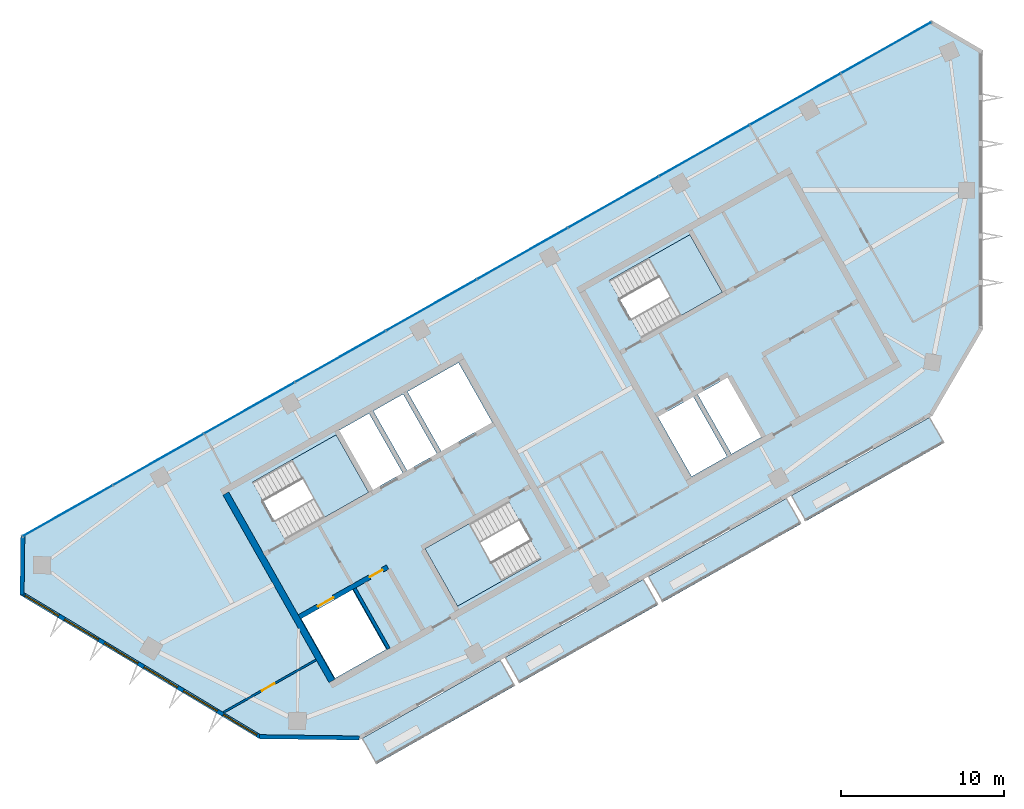
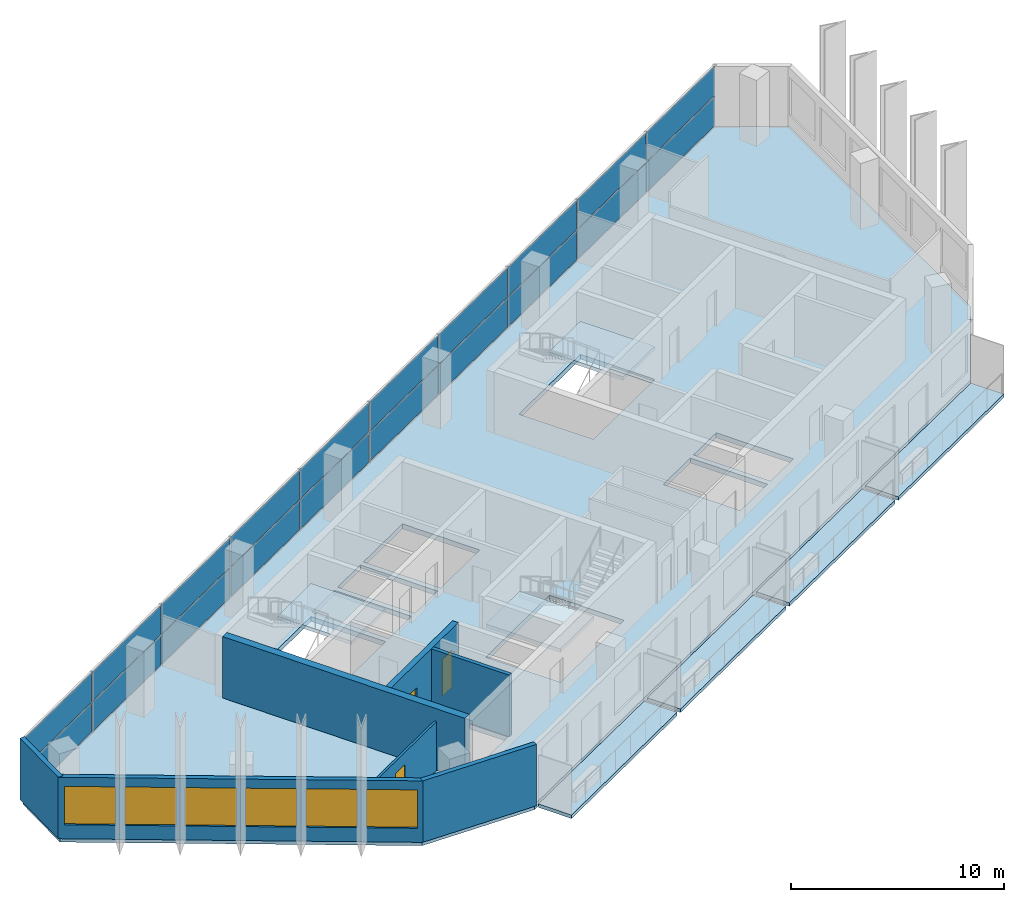
# One storey, part 5 of 10: 20 plates, 8 slabs, 7 walls, 6 windows, 3 doors, 9 openings, 4 elements without a shape of their own.
"""IFC4 building model written with IfcOpenShell, lengths in metres."""

from ifc_helpers import new_model, si_unit, direction, frame, frame_2d, origin, origin_2d, place, context, subcontext, project, spatial, polyline, rectangle, outline, extrude, material, layer, layer_set, type_object, element, fill, aggregate, save


model = new_model("IFC4")

# Units and contexts
model_context = context("Model", 3, precision=1e-05, world=origin(), true_north=direction((0.0, 1.0)))
body_context = subcontext(model_context, "Body", "Model", "MODEL_VIEW")
ifc_project = project(units=[si_unit("LENGTHUNIT", "METRE"), si_unit("AREAUNIT", "SQUARE_METRE"), si_unit("VOLUMEUNIT", "CUBIC_METRE"), si_unit("PLANEANGLEUNIT", "RADIAN"), si_unit("MASSUNIT", "GRAM", prefix="KILO")], contexts=[model_context])

# Site, building, storey
site_placement = place(None, origin())
site = spatial("IfcSite", under=ifc_project, at=site_placement, CompositionType="ELEMENT")
building_placement = place(site_placement, origin())
building = spatial("IfcBuilding", under=site, at=building_placement, Name="Binnacle Exchange Tower", CompositionType="ELEMENT")
storey_placement = place(building_placement, frame((0.0, 0.0, 324.10009765625)))
storey = spatial("IfcBuildingStorey", under=building, at=storey_placement, Name="L73", CompositionType="ELEMENT", Elevation=324.10009765625)

# Slabs
ifc_material_1 = material(Name="Concrete C35/45", Category="concrete")
ifc_layer_1 = layer(ifc_material_1, 0.199951171875)
ifc_layer_set_1 = layer_set([ifc_layer_1], Name="BALCONY SLAB 200")
slab_type_1 = type_object("IfcSlabType", Name="BALCONY SLAB 200", PredefinedType="FLOOR", material=ifc_layer_set_1)
slab_1_placement = place(storey_placement, frame((0.0, 0.0, -0.2001953125)))
element("IfcSlab", 1, at=slab_1_placement, inside=storey, type_object=slab_type_1, Name="Balcony BA-H07-00 L73", PredefinedType="FLOOR", context=body_context, shape_type="SweptSolid", body=[
    extrude(outline(polyline([(-37.90576171875, 26.410400390625), (-29.40380859375, 31.220458984375), (-28.517578125, 29.65380859375), (-37.019287109375, 24.84375), (-37.90576171875, 26.410400390625)])), origin(), (0.0, 0.0, 1.0), 0.2001953125),
])
slab_2_placement = place(storey_placement, frame((0.0, 0.0, -0.2001953125)))
element("IfcSlab", 2, at=slab_2_placement, inside=storey, type_object=slab_type_1, Name="Balcony BA-H07-01 L73", PredefinedType="FLOOR", context=body_context, shape_type="SweptSolid", body=[
    extrude(outline(polyline([(-29.142822265625, 31.3681640625), (-20.64111328125, 36.17822265625), (-19.754638671875, 34.611572265625), (-28.25634765625, 29.801513671875), (-29.142822265625, 31.3681640625)])), origin(), (0.0, 0.0, 1.0), 0.2001953125),
])
slab_3_placement = place(storey_placement, frame((0.0, 0.0, -0.2001953125)))
element("IfcSlab", 3, at=slab_3_placement, inside=storey, type_object=slab_type_1, Name="Balcony BA-H07-02 L73", PredefinedType="FLOOR", context=body_context, shape_type="SweptSolid", body=[
    extrude(outline(polyline([(-20.3798828125, 36.325927734375), (-11.878173828125, 41.135986328125), (-10.99169921875, 39.5693359375), (-19.493408203125, 34.759521484375), (-20.3798828125, 36.325927734375)])), origin(), (0.0, 0.0, 1.0), 0.2001953125),
])
slab_4_placement = place(storey_placement, frame((0.0, 0.0, -0.2001953125)))
element("IfcSlab", 4, at=slab_4_placement, inside=storey, type_object=slab_type_1, Name="Balcony BA-H07-03 L73", PredefinedType="FLOOR", context=body_context, shape_type="SweptSolid", body=[
    extrude(outline(polyline([(-11.616943359375, 41.28369140625), (-3.115234375, 46.093994140625), (-2.22900390625, 44.527099609375), (-10.730712890625, 39.717041015625), (-11.616943359375, 41.28369140625)])), origin(), (0.0, 0.0, 1.0), 0.2001953125),
])

# Curtain wall, plates
ifc_material_2 = material(Name="Bronze anodised aluminium frame", Category="aluminium")
curtain_wall_type = type_object("IfcCurtainWallType", Name="External wall - curtain wall executive floors", PredefinedType="NOTDEFINED", material=ifc_material_2)
curtain_wall_placement = place(storey_placement, origin())
curtain_wall = element("IfcCurtainWall", 5, at=curtain_wall_placement, inside=storey, type_object=curtain_wall_type, Name="External wall curtain wall CW4-H03 L73", PredefinedType="NOTDEFINED")
ifc_material_3 = material(Name="Glass", Category="glass")
ifc_layer_2 = layer(ifc_material_3, 0.031982421875)
ifc_layer_set_2 = layer_set([ifc_layer_2], Name="CW4 GLASS PANEL 32")
plate_type = type_object("IfcPlateType", Name="CW4 GLASS PANEL 32", PredefinedType="CURTAIN_PANEL", material=ifc_layer_set_2)
plate_1_placement = place(storey_placement, frame((-5.786376953125, 68.72607421875, 0.0498046875), z_axis=(0.0, 0.0, 1.0), x_axis=(-0.870355581136, -0.492423763019, 0.0)))
plate_1 = element("IfcPlate", 6, at=plate_1_placement, type_object=plate_type, Name="CW4-H03 panel 1.1", PredefinedType="CURTAIN_PANEL", context=body_context, shape_type="SweptSolid", body=[
    extrude(rectangle(XDim=6.30029296875, YDim=0.031982421875, at=origin_2d()), origin(), (0.0, 0.0, 1.0), 1.68505859375),
])
plate_2_placement = place(storey_placement, frame((-5.786376953125, 68.72607421875, 1.784912109375), z_axis=(0.0, 0.0, 1.0), x_axis=(-0.870355581136, -0.492423763019, 0.0)))
plate_2 = element("IfcPlate", 7, at=plate_2_placement, type_object=plate_type, Name="CW4-H03 panel 1.2", PredefinedType="CURTAIN_PANEL", context=body_context, shape_type="SweptSolid", body=[
    extrude(rectangle(XDim=6.30029296875, YDim=0.031982421875, at=origin_2d()), origin(), (0.0, 0.0, 1.0), 1.68505859375),
])
plate_3_placement = place(storey_placement, frame((-11.345947265625, 65.580810546875, 0.0498046875), z_axis=(0.0, 0.0, 1.0), x_axis=(-0.870355581136, -0.492423763019, 0.0)))
plate_3 = element("IfcPlate", 8, at=plate_3_placement, type_object=plate_type, Name="CW4-H03 panel 2.1", PredefinedType="CURTAIN_PANEL", context=body_context, shape_type="SweptSolid", body=[
    extrude(rectangle(XDim=6.335205078125, YDim=0.031982421875, at=origin_2d()), origin(), (0.0, 0.0, 1.0), 1.68505859375),
])
plate_4_placement = place(storey_placement, frame((-11.345947265625, 65.580810546875, 1.784912109375), z_axis=(0.0, 0.0, 1.0), x_axis=(-0.870355581136, -0.492423763019, 0.0)))
plate_4 = element("IfcPlate", 9, at=plate_4_placement, type_object=plate_type, Name="CW4-H03 panel 2.2", PredefinedType="CURTAIN_PANEL", context=body_context, shape_type="SweptSolid", body=[
    extrude(rectangle(XDim=6.335205078125, YDim=0.031982421875, at=origin_2d()), origin(), (0.0, 0.0, 1.0), 1.68505859375),
])
plate_5_placement = place(storey_placement, frame((-16.9208984375, 62.426513671875, 0.0498046875), z_axis=(0.0, 0.0, 1.0), x_axis=(-0.870355581136, -0.492423763019, 0.0)))
plate_5 = element("IfcPlate", 10, at=plate_5_placement, type_object=plate_type, Name="CW4-H03 panel 3.1", PredefinedType="CURTAIN_PANEL", context=body_context, shape_type="SweptSolid", body=[
    extrude(rectangle(XDim=6.335205078125, YDim=0.031982421875, at=origin_2d()), origin(), (0.0, 0.0, 1.0), 1.68505859375),
])
plate_6_placement = place(storey_placement, frame((-16.9208984375, 62.426513671875, 1.784912109375), z_axis=(0.0, 0.0, 1.0), x_axis=(-0.870355581136, -0.492423763019, 0.0)))
plate_6 = element("IfcPlate", 11, at=plate_6_placement, type_object=plate_type, Name="CW4-H03 panel 3.2", PredefinedType="CURTAIN_PANEL", context=body_context, shape_type="SweptSolid", body=[
    extrude(rectangle(XDim=6.335205078125, YDim=0.031982421875, at=origin_2d()), origin(), (0.0, 0.0, 1.0), 1.68505859375),
])
plate_7_placement = place(storey_placement, frame((-22.49560546875, 59.2724609375, 0.0498046875), z_axis=(0.0, 0.0, 1.0), x_axis=(-0.870355581136, -0.492423763019, 0.0)))
plate_7 = element("IfcPlate", 12, at=plate_7_placement, type_object=plate_type, Name="CW4-H03 panel 4.1", PredefinedType="CURTAIN_PANEL", context=body_context, shape_type="SweptSolid", body=[
    extrude(rectangle(XDim=6.335205078125, YDim=0.031982421875, at=origin_2d()), origin(), (0.0, 0.0, 1.0), 1.68505859375),
])
plate_8_placement = place(storey_placement, frame((-22.49560546875, 59.2724609375, 1.784912109375), z_axis=(0.0, 0.0, 1.0), x_axis=(-0.870355581136, -0.492423763019, 0.0)))
plate_8 = element("IfcPlate", 13, at=plate_8_placement, type_object=plate_type, Name="CW4-H03 panel 4.2", PredefinedType="CURTAIN_PANEL", context=body_context, shape_type="SweptSolid", body=[
    extrude(rectangle(XDim=6.335205078125, YDim=0.031982421875, at=origin_2d()), origin(), (0.0, 0.0, 1.0), 1.68505859375),
])
plate_9_placement = place(storey_placement, frame((-28.070556640625, 56.118408203125, 0.0498046875), z_axis=(0.0, 0.0, 1.0), x_axis=(-0.870355581136, -0.492423763019, 0.0)))
plate_9 = element("IfcPlate", 14, at=plate_9_placement, type_object=plate_type, Name="CW4-H03 panel 5.1", PredefinedType="CURTAIN_PANEL", context=body_context, shape_type="SweptSolid", body=[
    extrude(rectangle(XDim=6.335205078125, YDim=0.031982421875, at=origin_2d()), origin(), (0.0, 0.0, 1.0), 1.68505859375),
])
plate_10_placement = place(storey_placement, frame((-28.070556640625, 56.118408203125, 1.784912109375), z_axis=(0.0, 0.0, 1.0), x_axis=(-0.870355581136, -0.492423763019, 0.0)))
plate_10 = element("IfcPlate", 15, at=plate_10_placement, type_object=plate_type, Name="CW4-H03 panel 5.2", PredefinedType="CURTAIN_PANEL", context=body_context, shape_type="SweptSolid", body=[
    extrude(rectangle(XDim=6.335205078125, YDim=0.031982421875, at=origin_2d()), origin(), (0.0, 0.0, 1.0), 1.68505859375),
])
plate_11_placement = place(storey_placement, frame((-33.6455078125, 52.96435546875, 0.0498046875), z_axis=(0.0, 0.0, 1.0), x_axis=(-0.870355581136, -0.492423763019, 0.0)))
plate_11 = element("IfcPlate", 16, at=plate_11_placement, type_object=plate_type, Name="CW4-H03 panel 6.1", PredefinedType="CURTAIN_PANEL", context=body_context, shape_type="SweptSolid", body=[
    extrude(rectangle(XDim=6.335205078125, YDim=0.031982421875, at=origin_2d()), origin(), (0.0, 0.0, 1.0), 1.68505859375),
])
plate_12_placement = place(storey_placement, frame((-33.6455078125, 52.96435546875, 1.784912109375), z_axis=(0.0, 0.0, 1.0), x_axis=(-0.870355581136, -0.492423763019, 0.0)))
plate_12 = element("IfcPlate", 17, at=plate_12_placement, type_object=plate_type, Name="CW4-H03 panel 6.2", PredefinedType="CURTAIN_PANEL", context=body_context, shape_type="SweptSolid", body=[
    extrude(rectangle(XDim=6.335205078125, YDim=0.031982421875, at=origin_2d()), origin(), (0.0, 0.0, 1.0), 1.68505859375),
])
plate_13_placement = place(storey_placement, frame((-39.22021484375, 49.810302734375, 0.0498046875), z_axis=(0.0, 0.0, 1.0), x_axis=(-0.870355581136, -0.492423763019, 0.0)))
plate_13 = element("IfcPlate", 18, at=plate_13_placement, type_object=plate_type, Name="CW4-H03 panel 7.1", PredefinedType="CURTAIN_PANEL", context=body_context, shape_type="SweptSolid", body=[
    extrude(rectangle(XDim=6.335205078125, YDim=0.031982421875, at=origin_2d()), origin(), (0.0, 0.0, 1.0), 1.68505859375),
])
plate_14_placement = place(storey_placement, frame((-39.22021484375, 49.810302734375, 1.784912109375), z_axis=(0.0, 0.0, 1.0), x_axis=(-0.870355581136, -0.492423763019, 0.0)))
plate_14 = element("IfcPlate", 19, at=plate_14_placement, type_object=plate_type, Name="CW4-H03 panel 7.2", PredefinedType="CURTAIN_PANEL", context=body_context, shape_type="SweptSolid", body=[
    extrude(rectangle(XDim=6.335205078125, YDim=0.031982421875, at=origin_2d()), origin(), (0.0, 0.0, 1.0), 1.68505859375),
])
plate_15_placement = place(storey_placement, frame((-44.795166015625, 46.656005859375, 0.0498046875), z_axis=(0.0, 0.0, 1.0), x_axis=(-0.870355581136, -0.492423763019, 0.0)))
plate_15 = element("IfcPlate", 20, at=plate_15_placement, type_object=plate_type, Name="CW4-H03 panel 8.1", PredefinedType="CURTAIN_PANEL", context=body_context, shape_type="SweptSolid", body=[
    extrude(rectangle(XDim=6.335205078125, YDim=0.031982421875, at=origin_2d()), origin(), (0.0, 0.0, 1.0), 1.68505859375),
])
plate_16_placement = place(storey_placement, frame((-44.795166015625, 46.656005859375, 1.784912109375), z_axis=(0.0, 0.0, 1.0), x_axis=(-0.870355581136, -0.492423763019, 0.0)))
plate_16 = element("IfcPlate", 21, at=plate_16_placement, type_object=plate_type, Name="CW4-H03 panel 8.2", PredefinedType="CURTAIN_PANEL", context=body_context, shape_type="SweptSolid", body=[
    extrude(rectangle(XDim=6.335205078125, YDim=0.031982421875, at=origin_2d()), origin(), (0.0, 0.0, 1.0), 1.68505859375),
])
plate_17_placement = place(storey_placement, frame((-50.369873046875, 43.501953125, 0.0498046875), z_axis=(0.0, 0.0, 1.0), x_axis=(-0.870355581136, -0.492423763019, 0.0)))
plate_17 = element("IfcPlate", 22, at=plate_17_placement, type_object=plate_type, Name="CW4-H03 panel 9.1", PredefinedType="CURTAIN_PANEL", context=body_context, shape_type="SweptSolid", body=[
    extrude(rectangle(XDim=6.335205078125, YDim=0.031982421875, at=origin_2d()), origin(), (0.0, 0.0, 1.0), 1.68505859375),
])
plate_18_placement = place(storey_placement, frame((-50.369873046875, 43.501953125, 1.784912109375), z_axis=(0.0, 0.0, 1.0), x_axis=(-0.870355581136, -0.492423763019, 0.0)))
plate_18 = element("IfcPlate", 23, at=plate_18_placement, type_object=plate_type, Name="CW4-H03 panel 9.2", PredefinedType="CURTAIN_PANEL", context=body_context, shape_type="SweptSolid", body=[
    extrude(rectangle(XDim=6.335205078125, YDim=0.031982421875, at=origin_2d()), origin(), (0.0, 0.0, 1.0), 1.68505859375),
])
plate_19_placement = place(storey_placement, frame((-55.9296875, 40.3564453125, 0.0498046875), z_axis=(0.0, 0.0, 1.0), x_axis=(-0.870355581136, -0.492423763019, 0.0)))
plate_19 = element("IfcPlate", 24, at=plate_19_placement, type_object=plate_type, Name="CW4-H03 panel 10.1", PredefinedType="CURTAIN_PANEL", context=body_context, shape_type="SweptSolid", body=[
    extrude(rectangle(XDim=6.30029296875, YDim=0.031982421875, at=origin_2d()), origin(), (0.0, 0.0, 1.0), 1.68505859375),
])
plate_20_placement = place(storey_placement, frame((-55.9296875, 40.3564453125, 1.784912109375), z_axis=(0.0, 0.0, 1.0), x_axis=(-0.870355581136, -0.492423763019, 0.0)))
plate_20 = element("IfcPlate", 25, at=plate_20_placement, type_object=plate_type, Name="CW4-H03 panel 10.2", PredefinedType="CURTAIN_PANEL", context=body_context, shape_type="SweptSolid", body=[
    extrude(rectangle(XDim=6.30029296875, YDim=0.031982421875, at=origin_2d()), origin(), (0.0, 0.0, 1.0), 1.68505859375),
])
aggregate(curtain_wall, [plate_1, plate_2, plate_3, plate_4, plate_5, plate_6, plate_7, plate_8, plate_9, plate_10, plate_11, plate_12, plate_13, plate_14, plate_15, plate_16, plate_17, plate_18, plate_19, plate_20])

# Slab
ifc_layer_3 = layer(ifc_material_1, 0.280029296875)
ifc_layer_set_3 = layer_set([ifc_layer_3], Name="Floor slab 280 Concrete C35/45")
slab_type_2 = type_object("IfcSlabType", Name="Floor slab 280 Concrete C35/45", PredefinedType="FLOOR", material=ifc_layer_set_3)
slab_5_placement = place(storey_placement, frame((0.0, 0.0, -0.280029296875)))
element("IfcSlab", 26, at=slab_5_placement, inside=storey, type_object=slab_type_2, Name="S:SL:L73:01", PredefinedType="FLOOR", context=body_context, shape_type="SweptSolid", body=[
    extrude(outline(polyline([(-38.097900390625, 26.4453125), (-44.14404296875, 26.5244140625), (-58.716064453125, 35.280029296875), (-58.669921875, 38.80615234375), (-3.046142578125, 70.276611328125), (0.0, 68.5), (0.0, 51.5), (-3.046142578125, 46.276611328125), (-38.097900390625, 26.4453125)]), holes=[polyline([(-38.4794921875, 35.529296875), (-41.61279296875, 33.756591796875), (-39.544677734375, 30.10107421875), (-36.411376953125, 31.873779296875), (-38.4794921875, 35.529296875)]), polyline([(-32.04638671875, 34.515625), (-26.9287109375, 37.4111328125), (-28.923095703125, 40.93603515625), (-34.040771484375, 38.04052734375), (-32.04638671875, 34.515625)]), polyline([(-39.480712890625, 45.01611328125), (-44.598388671875, 42.12060546875), (-42.604248046875, 38.595703125), (-37.486572265625, 41.4912109375), (-39.480712890625, 45.01611328125)]), polyline([(-37.4658203125, 46.32861328125), (-39.293701171875, 45.29443359375), (-37.225341796875, 41.638916015625), (-35.397705078125, 42.673095703125), (-37.4658203125, 46.32861328125)]), polyline([(-17.598876953125, 47.343017578125), (-19.77490234375, 46.11181640625), (-17.70654296875, 42.456298828125), (-15.53076171875, 43.6875), (-17.598876953125, 47.343017578125)]), polyline([(-35.376953125, 47.51025390625), (-37.20458984375, 46.476318359375), (-35.136474609375, 42.82080078125), (-33.308837890625, 43.854736328125), (-35.376953125, 47.51025390625)]), polyline([(-15.510009765625, 48.52490234375), (-17.337890625, 47.49072265625), (-15.26953125, 43.835205078125), (-13.44189453125, 44.869384765625), (-15.510009765625, 48.52490234375)]), polyline([(-29.914306640625, 45.775390625), (-31.982666015625, 49.430908203125), (-35.115966796875, 47.657958984375), (-33.047607421875, 44.00244140625), (-29.914306640625, 45.775390625)]), polyline([(-15.822509765625, 53.748046875), (-17.81689453125, 57.27294921875), (-22.760498046875, 54.47607421875), (-20.76611328125, 50.950927734375), (-15.822509765625, 53.748046875)])]), origin(), (0.0, 0.0, 1.0), 0.280029296875),
])

# Stair, slab
stair_type = type_object("IfcStairType", Name="STAIR 22 RISERS 173", PredefinedType="HALF_TURN_STAIR", material=ifc_material_1)
stair_1_placement = place(storey_placement, origin())
stair_1 = element("IfcStair", 27, at=stair_1_placement, inside=storey, type_object=stair_type, Name="L73 Escape stair A1", PredefinedType="HALF_TURN_STAIR")
ifc_layer_4 = layer(ifc_material_1, 0.199951171875)
ifc_layer_set_4 = layer_set([ifc_layer_4], Name="STAIR LANDING 200")
slab_type_3 = type_object("IfcSlabType", Name="STAIR LANDING 200", PredefinedType="LANDING", material=ifc_layer_set_4)
slab_6_placement = place(storey_placement, frame((0.0, 0.0, 1.699951171875)))
slab_6 = element("IfcSlab", 28, at=slab_6_placement, type_object=slab_type_3, Name="STA1 landing 1", PredefinedType="LANDING", context=body_context, shape_type="SweptSolid", body=[
    extrude(outline(polyline([(-40.2021484375, 39.954833984375), (-37.486572265625, 41.4912109375), (-39.48095703125, 45.01611328125), (-42.1962890625, 43.479736328125), (-40.2021484375, 39.954833984375)])), origin(), (0.0, 0.0, 1.0), 0.199951171875),
])
aggregate(stair_1, [slab_6])

stair_2_placement = place(storey_placement, origin())
stair_2 = element("IfcStair", 29, at=stair_2_placement, inside=storey, type_object=stair_type, Name="L73 Escape stair A2", PredefinedType="HALF_TURN_STAIR")
slab_7_placement = place(storey_placement, frame((0.0, 0.0, 1.699951171875)))
slab_7 = element("IfcSlab", 30, at=slab_7_placement, type_object=slab_type_3, Name="STA2 landing 1", PredefinedType="LANDING", context=body_context, shape_type="SweptSolid", body=[
    extrude(outline(polyline([(-31.3251953125, 39.576904296875), (-34.040771484375, 38.04052734375), (-32.04638671875, 34.515625), (-29.330810546875, 36.052001953125), (-31.3251953125, 39.576904296875)])), origin(), (0.0, 0.0, 1.0), 0.199951171875),
])
aggregate(stair_2, [slab_7])

stair_3_placement = place(storey_placement, origin())
stair_3 = element("IfcStair", 31, at=stair_3_placement, inside=storey, type_object=stair_type, Name="L73 Escape stair C1", PredefinedType="HALF_TURN_STAIR")
slab_8_placement = place(storey_placement, frame((0.0, 0.0, 1.699951171875)))
slab_8 = element("IfcSlab", 32, at=slab_8_placement, type_object=slab_type_3, Name="STC1 landing 1", PredefinedType="LANDING", context=body_context, shape_type="SweptSolid", body=[
    extrude(outline(polyline([(-18.364013671875, 52.31005859375), (-15.822509765625, 53.748046875), (-17.81689453125, 57.27294921875), (-20.3583984375, 55.8349609375), (-18.364013671875, 52.31005859375)])), origin(), (0.0, 0.0, 1.0), 0.199951171875),
])
aggregate(stair_3, [slab_8])

# Wall, openings, doors
ifc_material_4 = material(Name="Concrete C70/85", Category="concrete")
ifc_layer_5 = layer(ifc_material_4, 0.300048828125)
ifc_layer_set_5 = layer_set([ifc_layer_5], Name="Core wall - front 300")
wall_type_1 = type_object("IfcWallType", Name="Core wall - front 300", PredefinedType="SOLIDWALL", material=ifc_layer_set_5)
wall_1_placement = place(storey_placement, frame((-41.72998046875, 33.862548828125, 0.0), z_axis=(0.0, 0.0, 1.0), x_axis=(0.870350800578, 0.492432212525, 0.0)))
wall_1 = element("IfcWall", 33, at=wall_1_placement, inside=storey, type_object=wall_type_1, Name="Core wall CRWA2", PredefinedType="SOLIDWALL", context=body_context, shape_type="SweptSolid", body=[
    extrude(rectangle(XDim=6.19970703125, YDim=0.300048828125, at=frame_2d((3.099853515625, 0.0))), origin(), (0.0, 0.0, 1.0), 3.52001953125),
])
opening_1_placement = place(wall_1_placement, frame((1.300048828125, 0.0, 0.0)))
opening_1 = element("IfcOpeningElement", 34, at=opening_1_placement, cuts=wall_1, Name="Opening LD12", PredefinedType="OPENING", context=body_context, shape_type="SweptSolid", body=[
    extrude(rectangle(XDim=1.10009765625, YDim=2.10009765625, at=frame_2d((0.550048828125, 1.050048828125))), frame((0.0, 0.159912109375, 0.0), z_axis=(0.0, -1.0, 0.0), x_axis=(1.0, 0.0, 0.0)), (0.0, 0.0, 1.0), 0.320068359375),
])
opening_2_placement = place(wall_1_placement, frame((4.949951171875, 0.0, 0.0)))
opening_2 = element("IfcOpeningElement", 35, at=opening_2_placement, cuts=wall_1, Name="Opening DA14", PredefinedType="OPENING", context=body_context, shape_type="SweptSolid", body=[
    extrude(rectangle(XDim=0.89990234375, YDim=2.10009765625, at=frame_2d((0.449951171875, 1.050048828125))), frame((0.0, 0.159912109375, 0.0), z_axis=(0.0, -1.0, 0.0), x_axis=(1.0, 0.0, 0.0)), (0.0, 0.0, 1.0), 0.320068359375),
])
ifc_material_5 = material(Name="Steel door leaf", Category="steel")
door_type_1 = type_object("IfcDoorType", Name="Fire door - lift landing 1100", OperationType="NOTDEFINED", PredefinedType="DOOR", material=ifc_material_5)
door_1_placement = place(opening_1_placement, origin())
door_1 = element("IfcDoor", 36, at=door_1_placement, inside=storey, type_object=door_type_1, Name="Landing door LD12 L73", OperationType="DOUBLE_DOOR_SLIDING", OverallHeight=2.10009765625, OverallWidth=1.10009765625, PredefinedType="DOOR", context=body_context, shape_type="SweptSolid", body=[
    extrude(rectangle(XDim=1.10009765625, YDim=2.10009765625, at=frame_2d((0.550048828125, 1.050048828125))), frame((0.0, 0.02490234375, 0.0), z_axis=(0.0, -1.0, 0.0), x_axis=(1.0, 0.0, 0.0)), (0.0, 0.0, 1.0), 0.050048828125),
])
fill(opening_1, door_1)
door_type_2 = type_object("IfcDoorType", Name="Fire door 900", OperationType="NOTDEFINED", PredefinedType="DOOR", material=ifc_material_5)
door_2_placement = place(opening_2_placement, frame((0.89990234375, 0.0, 0.0), z_axis=(0.0, 0.0, 1.0), x_axis=(-1.0, 0.0, 0.0)))
door_2 = element("IfcDoor", 37, at=door_2_placement, inside=storey, type_object=door_type_2, Name="Core room door COMMS RISER ROOM", OperationType="SINGLE_SWING_LEFT", OverallHeight=2.10009765625, OverallWidth=0.89990234375, PredefinedType="DOOR", context=body_context, shape_type="SweptSolid", body=[
    extrude(rectangle(XDim=0.89990234375, YDim=2.10009765625, at=frame_2d((0.449951171875, 1.050048828125))), frame((0.0, 0.02490234375, 0.0), z_axis=(0.0, -1.0, 0.0), x_axis=(1.0, 0.0, 0.0)), (0.0, 0.0, 1.0), 0.050048828125),
])
fill(opening_2, door_2)

# Walls
ifc_layer_6 = layer(ifc_material_4, 0.39990234375)
ifc_layer_set_6 = layer_set([ifc_layer_6], Name="Core wall - outer 400")
wall_type_2 = type_object("IfcWallType", Name="Core wall - outer 400", PredefinedType="SOLIDWALL", material=ifc_layer_set_6)
wall_2_placement = place(storey_placement, frame((-46.237548828125, 41.423095703125, 0.0), z_axis=(0.0, 0.0, 1.0), x_axis=(0.492421663121, -0.870356769198, 0.0)))
element("IfcWall", 38, at=wall_2_placement, inside=storey, type_object=wall_type_2, Name="Core wall CRWA7", PredefinedType="SOLIDWALL", context=body_context, shape_type="SweptSolid", body=[
    extrude(rectangle(XDim=13.199951171875, YDim=0.39990234375, at=frame_2d((6.60009765625, 0.0))), origin(), (0.0, 0.0, 1.0), 3.52001953125),
])
ifc_material_6 = material(Name="Bronze aluminium cladding", Category="aluminium")
ifc_layer_7 = layer(ifc_material_6, 0.25)
ifc_layer_set_7 = layer_set([ifc_layer_7], Name="External wall - window wall 250")
wall_type_3 = type_object("IfcWallType", Name="External wall - window wall 250", PredefinedType="STANDARD", material=ifc_layer_set_7)
wall_3_placement = place(storey_placement, frame((-58.717041015625, 35.208251953125, 0.0), z_axis=(0.0, 0.0, 1.0), x_axis=(0.01310512158, 0.999914124207, 0.0)))
element("IfcWall", 39, at=wall_3_placement, inside=storey, type_object=wall_type_3, Name="External wall EW-H04 L73", PredefinedType="STANDARD", context=body_context, shape_type="SweptSolid", body=[
    extrude(rectangle(XDim=3.669921875, YDim=0.25, at=frame_2d((1.8349609375, 0.0))), origin(), (0.0, 0.0, 1.0), 3.52001953125),
])

# Wall, openings, windows
wall_4_placement = place(storey_placement, frame((-44.115234375, 26.507080078125, 0.0), z_axis=(0.0, 0.0, 1.0), x_axis=(-0.857166583633, 0.515039268311, 0.0)))
wall_4 = element("IfcWall", 40, at=wall_4_placement, inside=storey, type_object=wall_type_3, Name="External wall EW-H05 L73", PredefinedType="STANDARD", context=body_context, shape_type="SweptSolid", body=[
    extrude(rectangle(XDim=17.105712890625, YDim=0.25, at=frame_2d((8.552734375, 0.0))), origin(), (0.0, 0.0, 1.0), 3.52001953125),
])
opening_3_placement = place(wall_4_placement, frame((14.4169921875, 0.0, 0.800048828125)))
opening_3 = element("IfcOpeningElement", 41, at=opening_3_placement, cuts=wall_4, Name="Opening WR2", PredefinedType="OPENING", context=body_context, shape_type="SweptSolid", body=[
    extrude(rectangle(XDim=2.39990234375, YDim=2.199951171875, at=frame_2d((1.199951171875, 1.10009765625))), frame((0.0, 0.135009765625, 0.0), z_axis=(0.0, -1.0, 0.0), x_axis=(1.0, 0.0, 0.0)), (0.0, 0.0, 1.0), 0.27001953125),
])
opening_4_placement = place(wall_4_placement, frame((11.583740234375, 0.0, 0.800048828125)))
opening_4 = element("IfcOpeningElement", 42, at=opening_4_placement, cuts=wall_4, Name="Opening WR2", PredefinedType="OPENING", context=body_context, shape_type="SweptSolid", body=[
    extrude(rectangle(XDim=2.39990234375, YDim=2.199951171875, at=frame_2d((1.199951171875, 1.10009765625))), frame((0.0, 0.135009765625, 0.0), z_axis=(0.0, -1.0, 0.0), x_axis=(1.0, 0.0, 0.0)), (0.0, 0.0, 1.0), 0.27001953125),
])
opening_5_placement = place(wall_4_placement, frame((8.75048828125, 0.0, 0.800048828125)))
opening_5 = element("IfcOpeningElement", 43, at=opening_5_placement, cuts=wall_4, Name="Opening WR2", PredefinedType="OPENING", context=body_context, shape_type="SweptSolid", body=[
    extrude(rectangle(XDim=2.39990234375, YDim=2.199951171875, at=frame_2d((1.199951171875, 1.10009765625))), frame((0.0, 0.135009765625, 0.0), z_axis=(0.0, -1.0, 0.0), x_axis=(1.0, 0.0, 0.0)), (0.0, 0.0, 1.0), 0.27001953125),
])
opening_6_placement = place(wall_4_placement, frame((5.9169921875, 0.0, 0.800048828125)))
opening_6 = element("IfcOpeningElement", 44, at=opening_6_placement, cuts=wall_4, Name="Opening WR2", PredefinedType="OPENING", context=body_context, shape_type="SweptSolid", body=[
    extrude(rectangle(XDim=2.39990234375, YDim=2.199951171875, at=frame_2d((1.199951171875, 1.10009765625))), frame((0.0, 0.135009765625, 0.0), z_axis=(0.0, -1.0, 0.0), x_axis=(1.0, 0.0, 0.0)), (0.0, 0.0, 1.0), 0.27001953125),
])
opening_7_placement = place(wall_4_placement, frame((3.083740234375, 0.0, 0.800048828125)))
opening_7 = element("IfcOpeningElement", 45, at=opening_7_placement, cuts=wall_4, Name="Opening WR2", PredefinedType="OPENING", context=body_context, shape_type="SweptSolid", body=[
    extrude(rectangle(XDim=2.39990234375, YDim=2.199951171875, at=frame_2d((1.199951171875, 1.10009765625))), frame((0.0, 0.135009765625, 0.0), z_axis=(0.0, -1.0, 0.0), x_axis=(1.0, 0.0, 0.0)), (0.0, 0.0, 1.0), 0.27001953125),
])
opening_8_placement = place(wall_4_placement, frame((0.25048828125, 0.0, 0.800048828125)))
opening_8 = element("IfcOpeningElement", 46, at=opening_8_placement, cuts=wall_4, Name="Opening WR2", PredefinedType="OPENING", context=body_context, shape_type="SweptSolid", body=[
    extrude(rectangle(XDim=2.39990234375, YDim=2.199951171875, at=frame_2d((1.199951171875, 1.10009765625))), frame((0.0, 0.135009765625, 0.0), z_axis=(0.0, -1.0, 0.0), x_axis=(1.0, 0.0, 0.0)), (0.0, 0.0, 1.0), 0.27001953125),
])
window_type = type_object("IfcWindowType", Name="WR2 WINDOW 2400x2200", PartitioningType="SINGLE_PANEL", PredefinedType="WINDOW", material=ifc_material_2)
window_1_placement = place(opening_3_placement, origin())
window_1 = element("IfcWindow", 47, at=window_1_placement, inside=storey, type_object=window_type, Name="Window WR2 L73", OverallHeight=2.199951171875, OverallWidth=2.39990234375, PartitioningType="SINGLE_PANEL", PredefinedType="WINDOW", context=body_context, shape_type="SweptSolid", body=[
    extrude(rectangle(XDim=2.39990234375, YDim=2.199951171875, at=frame_2d((1.199951171875, 1.10009765625))), frame((0.0, 0.030029296875, 0.0), z_axis=(0.0, -1.0, 0.0), x_axis=(1.0, 0.0, 0.0)), (0.0, 0.0, 1.0), 0.06005859375),
])
fill(opening_3, window_1)
window_2_placement = place(opening_4_placement, origin())
window_2 = element("IfcWindow", 48, at=window_2_placement, inside=storey, type_object=window_type, Name="Window WR2 L73", OverallHeight=2.199951171875, OverallWidth=2.39990234375, PartitioningType="SINGLE_PANEL", PredefinedType="WINDOW", context=body_context, shape_type="SweptSolid", body=[
    extrude(rectangle(XDim=2.39990234375, YDim=2.199951171875, at=frame_2d((1.199951171875, 1.10009765625))), frame((0.0, 0.030029296875, 0.0), z_axis=(0.0, -1.0, 0.0), x_axis=(1.0, 0.0, 0.0)), (0.0, 0.0, 1.0), 0.06005859375),
])
fill(opening_4, window_2)
window_3_placement = place(opening_5_placement, origin())
window_3 = element("IfcWindow", 49, at=window_3_placement, inside=storey, type_object=window_type, Name="Window WR2 L73", OverallHeight=2.199951171875, OverallWidth=2.39990234375, PartitioningType="SINGLE_PANEL", PredefinedType="WINDOW", context=body_context, shape_type="SweptSolid", body=[
    extrude(rectangle(XDim=2.39990234375, YDim=2.199951171875, at=frame_2d((1.199951171875, 1.10009765625))), frame((0.0, 0.030029296875, 0.0), z_axis=(0.0, -1.0, 0.0), x_axis=(1.0, 0.0, 0.0)), (0.0, 0.0, 1.0), 0.06005859375),
])
fill(opening_5, window_3)
window_4_placement = place(opening_6_placement, origin())
window_4 = element("IfcWindow", 50, at=window_4_placement, inside=storey, type_object=window_type, Name="Window WR2 L73", OverallHeight=2.199951171875, OverallWidth=2.39990234375, PartitioningType="SINGLE_PANEL", PredefinedType="WINDOW", context=body_context, shape_type="SweptSolid", body=[
    extrude(rectangle(XDim=2.39990234375, YDim=2.199951171875, at=frame_2d((1.199951171875, 1.10009765625))), frame((0.0, 0.030029296875, 0.0), z_axis=(0.0, -1.0, 0.0), x_axis=(1.0, 0.0, 0.0)), (0.0, 0.0, 1.0), 0.06005859375),
])
fill(opening_6, window_4)
window_5_placement = place(opening_7_placement, origin())
window_5 = element("IfcWindow", 51, at=window_5_placement, inside=storey, type_object=window_type, Name="Window WR2 L73", OverallHeight=2.199951171875, OverallWidth=2.39990234375, PartitioningType="SINGLE_PANEL", PredefinedType="WINDOW", context=body_context, shape_type="SweptSolid", body=[
    extrude(rectangle(XDim=2.39990234375, YDim=2.199951171875, at=frame_2d((1.199951171875, 1.10009765625))), frame((0.0, 0.030029296875, 0.0), z_axis=(0.0, -1.0, 0.0), x_axis=(1.0, 0.0, 0.0)), (0.0, 0.0, 1.0), 0.06005859375),
])
fill(opening_7, window_5)
window_6_placement = place(opening_8_placement, origin())
window_6 = element("IfcWindow", 52, at=window_6_placement, inside=storey, type_object=window_type, Name="Window WR2 L73", OverallHeight=2.199951171875, OverallWidth=2.39990234375, PartitioningType="SINGLE_PANEL", PredefinedType="WINDOW", context=body_context, shape_type="SweptSolid", body=[
    extrude(rectangle(XDim=2.39990234375, YDim=2.199951171875, at=frame_2d((1.199951171875, 1.10009765625))), frame((0.0, 0.030029296875, 0.0), z_axis=(0.0, -1.0, 0.0), x_axis=(1.0, 0.0, 0.0)), (0.0, 0.0, 1.0), 0.06005859375),
])
fill(opening_8, window_6)

# Wall
wall_5_placement = place(storey_placement, frame((-38.06396484375, 26.44482421875, 0.0), z_axis=(0.0, 0.0, 1.0), x_axis=(-0.999914239143, 0.013096349097, 0.0)))
element("IfcWall", 53, at=wall_5_placement, inside=storey, type_object=wall_type_3, Name="External wall EW-H06 L73", PredefinedType="STANDARD", context=body_context, shape_type="SweptSolid", body=[
    extrude(rectangle(XDim=6.114501953125, YDim=0.25, at=frame_2d((3.05712890625, 0.0))), origin(), (0.0, 0.0, 1.0), 3.52001953125),
])

# Wall, opening, door
ifc_material_7 = material(Name="Gypsum partition")
ifc_layer_8 = layer(ifc_material_7, 0.125)
ifc_layer_set_8 = layer_set([ifc_layer_8], Name="Partition 125")
wall_type_4 = type_object("IfcWallType", Name="Partition 125", PredefinedType="PARTITIONING", material=ifc_layer_set_8)
wall_6_placement = place(storey_placement, frame((-46.381103515625, 28.014892578125, 0.0), z_axis=(0.0, 0.0, 1.0), x_axis=(0.870364232693, 0.492408471139, 0.0)))
wall_6 = element("IfcWall", 54, at=wall_6_placement, inside=storey, type_object=wall_type_4, Name="Partition W02", PredefinedType="PARTITIONING", context=body_context, shape_type="SweptSolid", body=[
    extrude(rectangle(XDim=6.52734375, YDim=0.125, at=frame_2d((3.263671875, 0.0))), origin(), (0.0, 0.0, 1.0), 2.7998046875),
])
opening_9_placement = place(wall_6_placement, frame((2.699951171875, 0.0, 0.0)))
opening_9 = element("IfcOpeningElement", 55, at=opening_9_placement, cuts=wall_6, Name="Opening DL71-01", PredefinedType="OPENING", context=body_context, shape_type="SweptSolid", body=[
    extrude(rectangle(XDim=0.89990234375, YDim=2.10009765625, at=frame_2d((0.449951171875, 1.050048828125))), frame((0.0, 0.072509765625, 0.0), z_axis=(0.0, -1.0, 0.0), x_axis=(1.0, 0.0, 0.0)), (0.0, 0.0, 1.0), 0.14501953125),
])
ifc_material_8 = material(Name="Timber door leaf", Category="wood")
door_type_3 = type_object("IfcDoorType", Name="Door 900", OperationType="NOTDEFINED", PredefinedType="DOOR", material=ifc_material_8)
door_3_placement = place(opening_9_placement, origin())
door_3 = element("IfcDoor", 56, at=door_3_placement, inside=storey, type_object=door_type_3, Name="Door DL71-01", OperationType="SINGLE_SWING_LEFT", OverallHeight=2.10009765625, OverallWidth=0.89990234375, PredefinedType="DOOR", context=body_context, shape_type="SweptSolid", body=[
    extrude(rectangle(XDim=0.89990234375, YDim=2.10009765625, at=frame_2d((0.449951171875, 1.050048828125))), frame((0.0, 0.02490234375, 0.0), z_axis=(0.0, -1.0, 0.0), x_axis=(1.0, 0.0, 0.0)), (0.0, 0.0, 1.0), 0.050048828125),
])
fill(opening_9, door_3)

# Wall
ifc_material_9 = material(Name="Masonry block wall", Category="masonry")
ifc_layer_9 = layer(ifc_material_9, 0.199951171875)
ifc_layer_set_9 = layer_set([ifc_layer_9], Name="Riser wall 200")
wall_type_5 = type_object("IfcWallType", Name="Riser wall 200", PredefinedType="SOLIDWALL", material=ifc_layer_set_9)
wall_7_placement = place(storey_placement, frame((-38.348876953125, 35.603271484375, 0.0), z_axis=(0.0, 0.0, 1.0), x_axis=(0.492397924348, -0.870370199454, 0.0)))
element("IfcWall", 57, at=wall_7_placement, inside=storey, type_object=wall_type_5, Name="Core wall CRWA8", PredefinedType="SOLIDWALL", context=body_context, shape_type="SweptSolid", body=[
    extrude(rectangle(XDim=4.250244140625, YDim=0.199951171875, at=frame_2d((2.125, 0.0))), origin(), (0.0, 0.0, 1.0), 3.52001953125),
])

save(model, "model.ifc")
